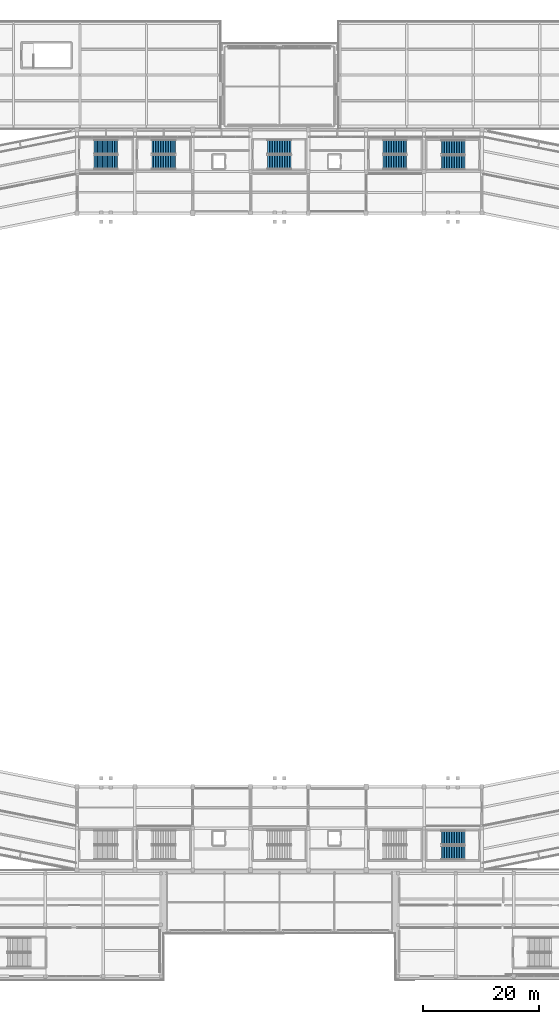
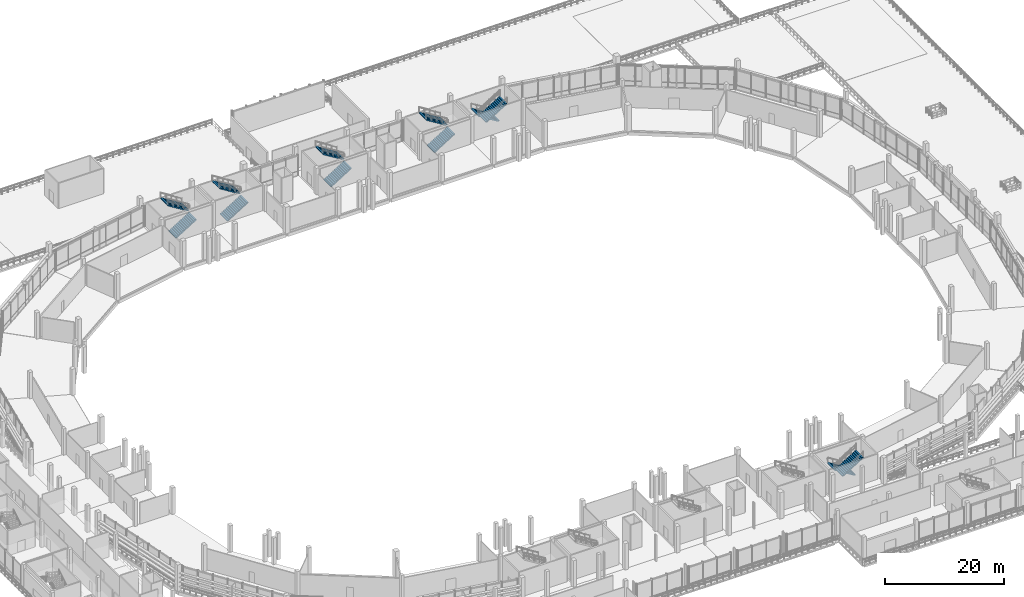
# One storey, part 83 of 111: 12 stair flights, 6 elements without a shape of their own.
"""IFC4 building model written with IfcOpenShell, lengths in metres."""

import ifcopenshell
import ifcopenshell.guid

model = None  # the IFC model being written
_history = None  # IfcOwnerHistory: only IFC2X3 demands one
_inside = {}  # id of a spatial element -> (the spatial element, [elements in it])
_under = {}  # id of a project, library or spatial element -> (it, [spatial elements below it])
_declared = {}  # id of a project -> (the project, [libraries it declares])
_typed = {}  # id of a type object -> (the type object, [elements of that type])
_made_of = {}  # id of a material, layer set ... -> (it, [elements and type objects made of it])


def new_model(schema):
    """Start an empty IFC model of exactly this schema.

    Asked for "IFC4X3", IfcOpenShell would pick the latest addendum, in which some entities
    have other attributes; the version numbers below select the first issue.
    IFC2X3 requires an IfcOwnerHistory on every rooted entity: one is made here for all.
    """
    global model, _history
    if schema == "IFC4X3":
        model = ifcopenshell.file(schema_version=(4, 3, 0, 0))
    else:
        model = ifcopenshell.file(schema=schema)
    _inside.clear()
    _under.clear()
    _declared.clear()
    _typed.clear()
    _made_of.clear()
    _history = None
    if model.schema == "IFC2X3":
        org = make("IfcOrganization", Name="unknown")
        user = make(
            "IfcPersonAndOrganization",
            ThePerson=make("IfcPerson", FamilyName="unknown"),
            TheOrganization=org,
        )
        app = make(
            "IfcApplication",
            ApplicationDeveloper=org,
            Version="unknown",
            ApplicationFullName="unknown",
            ApplicationIdentifier="unknown",
        )
        _history = make(
            "IfcOwnerHistory",
            OwningUser=user,
            OwningApplication=app,
            ChangeAction="ADDED",
            CreationDate=0,
        )
    return model


def make(cls, **values):
    """One entity of the class cls with the attributes given. An attribute that is None is left unset."""
    return model.create_entity(
        cls, **{name: value for name, value in values.items() if value is not None}
    )


def rooted(cls, **values):
    """An entity with a GlobalId (a new one), such as an element, a storey or a relation."""
    return make(cls, GlobalId=ifcopenshell.guid.new(), OwnerHistory=_history, **values)


def si_unit(unit_type, name, prefix=None):
    """IfcSIUnit, for example si_unit("LENGTHUNIT", "METRE", prefix="MILLI")."""
    return make("IfcSIUnit", UnitType=unit_type, Prefix=prefix, Name=name)


def assignment(units):
    """IfcUnitAssignment: the units of a project."""
    return None if units is None else make("IfcUnitAssignment", Units=units)


def point(xyz):
    """IfcCartesianPoint."""
    return None if xyz is None else make("IfcCartesianPoint", Coordinates=xyz)


def direction(xyz):
    """IfcDirection."""
    return None if xyz is None else make("IfcDirection", DirectionRatios=xyz)


def frame(location, z_axis=None, x_axis=None):
    """IfcAxis2Placement3D, a coordinate frame: its origin and axes. An axis left out is left unset."""
    return make(
        "IfcAxis2Placement3D",
        Location=point(location),
        Axis=direction(z_axis),
        RefDirection=direction(x_axis),
    )


def origin():
    """The frame at (0, 0, 0) with its axes left unset."""
    return frame((0.0, 0.0, 0.0))


def place(relative_to, where):
    """IfcLocalPlacement: puts the frame where relative to a parent placement (None: the world)."""
    return make(
        "IfcLocalPlacement", PlacementRelTo=relative_to, RelativePlacement=where
    )


def context(
    kind, dimensions, precision=None, world=None, true_north=None, identifier=None
):
    """IfcGeometricRepresentationContext, for example the 3D "Model" context."""
    return make(
        "IfcGeometricRepresentationContext",
        ContextIdentifier=identifier,
        ContextType=kind,
        CoordinateSpaceDimension=dimensions,
        Precision=precision,
        WorldCoordinateSystem=world,
        TrueNorth=true_north,
    )


def subcontext(parent, identifier, kind, view, scale=None):
    """IfcGeometricRepresentationSubContext, for example "Body" below "Model"."""
    return make(
        "IfcGeometricRepresentationSubContext",
        ContextIdentifier=identifier,
        ContextType=kind,
        ParentContext=parent,
        TargetScale=scale,
        TargetView=view,
    )


def project(units=None, contexts=None):
    """IfcProject with its units and contexts."""
    return rooted(
        "IfcProject",
        Name="project",
        RepresentationContexts=contexts,
        UnitsInContext=assignment(units),
    )


def spatial(cls, under=None, at=None, **own):
    """A site, building, storey or space (cls), placed at a placement, below another one or the project."""
    s = rooted(cls, ObjectPlacement=at, **own)
    if under is not None:
        _under.setdefault(under.id(), (under, []))[1].append(s)
    return s


def polyline(points):
    """IfcPolyline through the points."""
    return make("IfcPolyline", Points=[point(p) for p in points])


def outline(outer, holes=None, kind="AREA"):
    """IfcArbitraryClosedProfileDef: a profile drawn as a closed curve; with holes, ...WithVoids."""
    if holes is None:
        return make("IfcArbitraryClosedProfileDef", ProfileType=kind, OuterCurve=outer)
    return make(
        "IfcArbitraryProfileDefWithVoids",
        ProfileType=kind,
        OuterCurve=outer,
        InnerCurves=holes,
    )


def extrude(swept, where, along, depth):
    """IfcExtrudedAreaSolid: the profile swept, set in the frame where, extruded along a direction by depth."""
    return make(
        "IfcExtrudedAreaSolid",
        SweptArea=swept,
        Position=where,
        ExtrudedDirection=direction(along),
        Depth=depth,
    )


def shape(context_of_items, identifier, shape_type, items):
    """IfcShapeRepresentation: the items that make up one representation, for example the "Body"."""
    return make(
        "IfcShapeRepresentation",
        ContextOfItems=context_of_items,
        RepresentationIdentifier=identifier,
        RepresentationType=shape_type,
        Items=items,
    )


def material(Name=None, Category=None):
    """IfcMaterial."""
    return make("IfcMaterial", Name=Name, Category=Category)


def made_of(thing, what):
    """Note that an element or type object is made of a material, layer set ...; save() writes the relation."""
    if what is not None:
        _made_of.setdefault(what.id(), (what, []))[1].append(thing)
    return thing


def type_object(cls, material=None, **own):
    """A type object (cls), such as IfcWallType, which elements share."""
    return made_of(rooted(cls, **own), material)


def element(
    cls,
    number,
    at=None,
    inside=None,
    cuts=None,
    type_object=None,
    material=None,
    context=None,
    identifier="Body",
    shape_type=None,
    held_by="IfcProductDefinitionShape",
    body=None,
    shapes=None,
    **own,
):
    """One element of the class cls, such as IfcWall. Its Tag is "e" and its number.

    at: its placement. inside: the storey or other place that contains it. cuts: it is an
    opening in that element (IfcRelVoidsElement). A single representation is given by context,
    identifier, shape_type and body (its items); several are given by shapes. held_by: the class
    of the entity that holds the representations. save() writes the other relations.
    """
    e = rooted(cls, Tag="e%d" % number, ObjectPlacement=at, **own)
    if body is not None:
        shapes = [shape(context, identifier, shape_type, body)]
    if shapes is not None:
        e.Representation = make(held_by, Representations=shapes)
    if inside is not None:
        _inside.setdefault(inside.id(), (inside, []))[1].append(e)
    if cuts is not None:
        rooted(
            "IfcRelVoidsElement", RelatingBuildingElement=cuts, RelatedOpeningElement=e
        )
    if type_object is not None:
        _typed.setdefault(type_object.id(), (type_object, []))[1].append(e)
    return made_of(e, material)


def aggregate(whole, parts):
    """IfcRelAggregates: a whole, such as a stair, and the parts it consists of."""
    return rooted("IfcRelAggregates", RelatingObject=whole, RelatedObjects=parts)


def save(model, path):
    """Write the relations noted so far, then the file.

    IfcRelAggregates (storeys below a building ...), IfcRelContainedInSpatialStructure (elements
    in a storey), IfcRelDefinesByType, IfcRelAssociatesMaterial and IfcRelDeclares: one each for
    every whole, place, type object, material and project.
    """
    for whole, parts in _under.values():
        aggregate(whole, parts)
    for where, things in _inside.values():
        rooted(
            "IfcRelContainedInSpatialStructure",
            RelatedElements=things,
            RelatingStructure=where,
        )
    for kind, things in _typed.values():
        rooted("IfcRelDefinesByType", RelatedObjects=things, RelatingType=kind)
    for what, things in _made_of.values():
        rooted("IfcRelAssociatesMaterial", RelatedObjects=things, RelatingMaterial=what)
    for by, libraries in _declared.values():
        rooted("IfcRelDeclares", RelatingContext=by, RelatedDefinitions=libraries)
    model.write(path)


model = new_model("IFC4")

# Units and contexts
model_context = context("Model", 3, precision=1e-05, world=origin(), true_north=direction((0.0, 1.0)))
body_context = subcontext(model_context, "Body", "Model", "MODEL_VIEW")
ifc_project = project(units=[si_unit("LENGTHUNIT", "METRE"), si_unit("AREAUNIT", "SQUARE_METRE"), si_unit("VOLUMEUNIT", "CUBIC_METRE"), si_unit("PLANEANGLEUNIT", "RADIAN"), si_unit("MASSUNIT", "GRAM", prefix="KILO")], contexts=[model_context])

# Site, building, storey
site_placement = place(None, origin())
site = spatial("IfcSite", under=ifc_project, at=site_placement, CompositionType="ELEMENT")
building_placement = place(site_placement, origin())
building = spatial("IfcBuilding", under=site, at=building_placement, Name="Candeia Ridge Stadium", CompositionType="ELEMENT")
storey_placement = place(building_placement, frame((0.0, 0.0, 16.199951171875)))
storey = spatial("IfcBuildingStorey", under=building, at=storey_placement, Name="L03", CompositionType="ELEMENT", Elevation=16.199951171875)

# Stair, stair flights
ifc_material_1 = material(Name="Concrete C40/50", Category="concrete")
stair_type = type_object("IfcStairType", Name="Enclosed Core Half-Turn Stair 2450", PredefinedType="HALF_TURN_STAIR", material=ifc_material_1)
stair_1_placement = place(storey_placement, origin())
stair_1 = element("IfcStair", 1, at=stair_1_placement, inside=storey, type_object=stair_type, Name="L03 Enclosed exit stair ST01", PredefinedType="HALF_TURN_STAIR")
ifc_material_2 = material(Name="Precast concrete C40/50", Category="concrete")
stair_flight_type = type_object("IfcStairFlightType", Name="Core Precast Stair Flight 2450", PredefinedType="STRAIGHT", material=ifc_material_2)
stair_flight_1_placement = place(storey_placement, frame((73.949951171875, 141.425048828125, 0.0), z_axis=(0.0, 0.0, 1.0), x_axis=(1.0, 0.0, 0.0)))
stair_flight_1 = element("IfcStairFlight", 2, at=stair_flight_1_placement, type_object=stair_flight_type, Name="ST01 flight 1", NumberOfRisers=15, NumberOfTreads=14, PredefinedType="STRAIGHT", RiserHeight=0.18, TreadLength=0.29, context=body_context, shape_type="SweptSolid", body=[
    extrude(outline(polyline([(0.0, 0.0), (0.0, 0.179931640625), (0.2900390625, 0.179931640625), (0.2900390625, 0.360107421875), (0.580078125, 0.360107421875), (0.580078125, 0.5400390625), (0.8701171875, 0.5400390625), (0.8701171875, 0.719970703125), (1.159912109375, 0.719970703125), (1.159912109375, 0.89990234375), (1.449951171875, 0.89990234375), (1.449951171875, 1.080078125), (1.739990234375, 1.080078125), (1.739990234375, 1.260009765625), (2.030029296875, 1.260009765625), (2.030029296875, 1.43994140625), (2.320068359375, 1.43994140625), (2.320068359375, 1.6201171875), (2.610107421875, 1.6201171875), (2.610107421875, 1.800048828125), (2.89990234375, 1.800048828125), (2.89990234375, 1.97998046875), (3.18994140625, 1.97998046875), (3.18994140625, 2.159912109375), (3.47998046875, 2.159912109375), (3.47998046875, 2.340087890625), (3.77001953125, 2.340087890625), (3.77001953125, 2.52001953125), (4.06005859375, 2.52001953125), (4.06005859375, 2.699951171875), (4.06005859375, 2.331787109375), (0.30322265625, 0.0), (0.0, 0.0)])), frame((0.0, 1.22509765625, 0.0), z_axis=(0.0, -1.0, 0.0), x_axis=(1.0, 0.0, 0.0)), (0.0, 0.0, 1.0), 2.449951171875),
])
stair_flight_2_placement = place(storey_placement, frame((78.010009765625, 144.02490234375, 2.699951171875), z_axis=(0.0, 0.0, 1.0), x_axis=(-1.0, 0.0, 0.0)))
stair_flight_2 = element("IfcStairFlight", 3, at=stair_flight_2_placement, type_object=stair_flight_type, Name="ST01 flight 2", NumberOfRisers=15, NumberOfTreads=14, PredefinedType="STRAIGHT", RiserHeight=0.18, TreadLength=0.29, context=body_context, shape_type="SweptSolid", body=[
    extrude(outline(polyline([(0.0, 0.0), (0.0, 0.179931640625), (0.2900390625, 0.179931640625), (0.2900390625, 0.360107421875), (0.580078125, 0.360107421875), (0.580078125, 0.5400390625), (0.8701171875, 0.5400390625), (0.8701171875, 0.719970703125), (1.159912109375, 0.719970703125), (1.159912109375, 0.89990234375), (1.449951171875, 0.89990234375), (1.449951171875, 1.080078125), (1.739990234375, 1.080078125), (1.739990234375, 1.260009765625), (2.030029296875, 1.260009765625), (2.030029296875, 1.43994140625), (2.320068359375, 1.43994140625), (2.320068359375, 1.6201171875), (2.610107421875, 1.6201171875), (2.610107421875, 1.800048828125), (2.89990234375, 1.800048828125), (2.89990234375, 1.97998046875), (3.18994140625, 1.97998046875), (3.18994140625, 2.159912109375), (3.47998046875, 2.159912109375), (3.47998046875, 2.340087890625), (3.77001953125, 2.340087890625), (3.77001953125, 2.52001953125), (4.06005859375, 2.52001953125), (4.06005859375, 2.699951171875), (4.06005859375, 2.331787109375), (0.30322265625, 0.0), (0.0, 0.0)])), frame((0.0, 1.22509765625, 0.0), z_axis=(0.0, -1.0, 0.0), x_axis=(1.0, 0.0, 0.0)), (0.0, 0.0, 1.0), 2.449951171875),
])
aggregate(stair_1, [stair_flight_1, stair_flight_2])

stair_2_placement = place(storey_placement, origin())
stair_2 = element("IfcStair", 4, at=stair_2_placement, inside=storey, type_object=stair_type, Name="L03 Enclosed exit stair ST03", PredefinedType="HALF_TURN_STAIR")
stair_flight_3_placement = place(storey_placement, frame((138.050048828125, 24.574951171875, 0.0), z_axis=(0.0, 0.0, 1.0), x_axis=(-1.0, 0.0, 0.0)))
stair_flight_3 = element("IfcStairFlight", 5, at=stair_flight_3_placement, type_object=stair_flight_type, Name="ST03 flight 1", NumberOfRisers=15, NumberOfTreads=14, PredefinedType="STRAIGHT", RiserHeight=0.18, TreadLength=0.29, context=body_context, shape_type="SweptSolid", body=[
    extrude(outline(polyline([(0.0, 0.0), (0.0, 0.179931640625), (0.2900390625, 0.179931640625), (0.2900390625, 0.360107421875), (0.580078125, 0.360107421875), (0.580078125, 0.5400390625), (0.8701171875, 0.5400390625), (0.8701171875, 0.719970703125), (1.159912109375, 0.719970703125), (1.159912109375, 0.89990234375), (1.449951171875, 0.89990234375), (1.449951171875, 1.080078125), (1.739990234375, 1.080078125), (1.739990234375, 1.260009765625), (2.030029296875, 1.260009765625), (2.030029296875, 1.43994140625), (2.320068359375, 1.43994140625), (2.320068359375, 1.6201171875), (2.610107421875, 1.6201171875), (2.610107421875, 1.800048828125), (2.89990234375, 1.800048828125), (2.89990234375, 1.97998046875), (3.18994140625, 1.97998046875), (3.18994140625, 2.159912109375), (3.47998046875, 2.159912109375), (3.47998046875, 2.340087890625), (3.77001953125, 2.340087890625), (3.77001953125, 2.52001953125), (4.06005859375, 2.52001953125), (4.06005859375, 2.699951171875), (4.06005859375, 2.331787109375), (0.30322265625, 0.0), (0.0, 0.0)])), frame((0.0, 1.22509765625, 0.0), z_axis=(0.0, -1.0, 0.0), x_axis=(1.0, 0.0, 0.0)), (0.0, 0.0, 1.0), 2.449951171875),
])
stair_flight_4_placement = place(storey_placement, frame((133.989990234375, 21.97509765625, 2.699951171875), z_axis=(0.0, 0.0, 1.0), x_axis=(1.0, 0.0, 0.0)))
stair_flight_4 = element("IfcStairFlight", 6, at=stair_flight_4_placement, type_object=stair_flight_type, Name="ST03 flight 2", NumberOfRisers=15, NumberOfTreads=14, PredefinedType="STRAIGHT", RiserHeight=0.18, TreadLength=0.29, context=body_context, shape_type="SweptSolid", body=[
    extrude(outline(polyline([(0.0, 0.0), (0.0, 0.179931640625), (0.2900390625, 0.179931640625), (0.2900390625, 0.360107421875), (0.580078125, 0.360107421875), (0.580078125, 0.5400390625), (0.8701171875, 0.5400390625), (0.8701171875, 0.719970703125), (1.159912109375, 0.719970703125), (1.159912109375, 0.89990234375), (1.449951171875, 0.89990234375), (1.449951171875, 1.080078125), (1.739990234375, 1.080078125), (1.739990234375, 1.260009765625), (2.030029296875, 1.260009765625), (2.030029296875, 1.43994140625), (2.320068359375, 1.43994140625), (2.320068359375, 1.6201171875), (2.610107421875, 1.6201171875), (2.610107421875, 1.800048828125), (2.89990234375, 1.800048828125), (2.89990234375, 1.97998046875), (3.18994140625, 1.97998046875), (3.18994140625, 2.159912109375), (3.47998046875, 2.159912109375), (3.47998046875, 2.340087890625), (3.77001953125, 2.340087890625), (3.77001953125, 2.52001953125), (4.06005859375, 2.52001953125), (4.06005859375, 2.699951171875), (4.06005859375, 2.331787109375), (0.30322265625, 0.0), (0.0, 0.0)])), frame((0.0, 1.22509765625, 0.0), z_axis=(0.0, -1.0, 0.0), x_axis=(1.0, 0.0, 0.0)), (0.0, 0.0, 1.0), 2.449951171875),
])
aggregate(stair_2, [stair_flight_3, stair_flight_4])

stair_3_placement = place(storey_placement, origin())
stair_3 = element("IfcStair", 7, at=stair_3_placement, inside=storey, type_object=stair_type, Name="L03 Enclosed exit stair ST04", PredefinedType="HALF_TURN_STAIR")
stair_flight_5_placement = place(storey_placement, frame((138.050048828125, 143.97509765625, 0.0), z_axis=(0.0, 0.0, 1.0), x_axis=(-1.0, 0.0, 0.0)))
stair_flight_5 = element("IfcStairFlight", 8, at=stair_flight_5_placement, type_object=stair_flight_type, Name="ST04 flight 1", NumberOfRisers=15, NumberOfTreads=14, PredefinedType="STRAIGHT", RiserHeight=0.18, TreadLength=0.29, context=body_context, shape_type="SweptSolid", body=[
    extrude(outline(polyline([(0.0, 0.0), (0.0, 0.179931640625), (0.2900390625, 0.179931640625), (0.2900390625, 0.360107421875), (0.580078125, 0.360107421875), (0.580078125, 0.5400390625), (0.8701171875, 0.5400390625), (0.8701171875, 0.719970703125), (1.159912109375, 0.719970703125), (1.159912109375, 0.89990234375), (1.449951171875, 0.89990234375), (1.449951171875, 1.080078125), (1.739990234375, 1.080078125), (1.739990234375, 1.260009765625), (2.030029296875, 1.260009765625), (2.030029296875, 1.43994140625), (2.320068359375, 1.43994140625), (2.320068359375, 1.6201171875), (2.610107421875, 1.6201171875), (2.610107421875, 1.800048828125), (2.89990234375, 1.800048828125), (2.89990234375, 1.97998046875), (3.18994140625, 1.97998046875), (3.18994140625, 2.159912109375), (3.47998046875, 2.159912109375), (3.47998046875, 2.340087890625), (3.77001953125, 2.340087890625), (3.77001953125, 2.52001953125), (4.06005859375, 2.52001953125), (4.06005859375, 2.699951171875), (4.06005859375, 2.331787109375), (0.30322265625, 0.0), (0.0, 0.0)])), frame((0.0, 1.22509765625, 0.0), z_axis=(0.0, -1.0, 0.0), x_axis=(1.0, 0.0, 0.0)), (0.0, 0.0, 1.0), 2.449951171875),
])
stair_flight_6_placement = place(storey_placement, frame((133.989990234375, 141.375, 2.699951171875), z_axis=(0.0, 0.0, 1.0), x_axis=(1.0, 0.0, 0.0)))
stair_flight_6 = element("IfcStairFlight", 9, at=stair_flight_6_placement, type_object=stair_flight_type, Name="ST04 flight 2", NumberOfRisers=15, NumberOfTreads=14, PredefinedType="STRAIGHT", RiserHeight=0.18, TreadLength=0.29, context=body_context, shape_type="SweptSolid", body=[
    extrude(outline(polyline([(0.0, 0.0), (0.0, 0.179931640625), (0.2900390625, 0.179931640625), (0.2900390625, 0.360107421875), (0.580078125, 0.360107421875), (0.580078125, 0.5400390625), (0.8701171875, 0.5400390625), (0.8701171875, 0.719970703125), (1.159912109375, 0.719970703125), (1.159912109375, 0.89990234375), (1.449951171875, 0.89990234375), (1.449951171875, 1.080078125), (1.739990234375, 1.080078125), (1.739990234375, 1.260009765625), (2.030029296875, 1.260009765625), (2.030029296875, 1.43994140625), (2.320068359375, 1.43994140625), (2.320068359375, 1.6201171875), (2.610107421875, 1.6201171875), (2.610107421875, 1.800048828125), (2.89990234375, 1.800048828125), (2.89990234375, 1.97998046875), (3.18994140625, 1.97998046875), (3.18994140625, 2.159912109375), (3.47998046875, 2.159912109375), (3.47998046875, 2.340087890625), (3.77001953125, 2.340087890625), (3.77001953125, 2.52001953125), (4.06005859375, 2.52001953125), (4.06005859375, 2.699951171875), (4.06005859375, 2.331787109375), (0.30322265625, 0.0), (0.0, 0.0)])), frame((0.0, 1.22509765625, 0.0), z_axis=(0.0, -1.0, 0.0), x_axis=(1.0, 0.0, 0.0)), (0.0, 0.0, 1.0), 2.449951171875),
])
aggregate(stair_3, [stair_flight_5, stair_flight_6])

stair_4_placement = place(storey_placement, origin())
stair_4 = element("IfcStair", 10, at=stair_4_placement, inside=storey, type_object=stair_type, Name="L03 Enclosed exit stair ST09", PredefinedType="HALF_TURN_STAIR")
stair_flight_7_placement = place(storey_placement, frame((83.949951171875, 141.425048828125, 0.0), z_axis=(0.0, 0.0, 1.0), x_axis=(1.0, 0.0, 0.0)))
stair_flight_7 = element("IfcStairFlight", 11, at=stair_flight_7_placement, type_object=stair_flight_type, Name="ST09 flight 1", NumberOfRisers=15, NumberOfTreads=14, PredefinedType="STRAIGHT", RiserHeight=0.18, TreadLength=0.29, context=body_context, shape_type="SweptSolid", body=[
    extrude(outline(polyline([(0.0, 0.0), (0.0, 0.179931640625), (0.2900390625, 0.179931640625), (0.2900390625, 0.360107421875), (0.580078125, 0.360107421875), (0.580078125, 0.5400390625), (0.8701171875, 0.5400390625), (0.8701171875, 0.719970703125), (1.159912109375, 0.719970703125), (1.159912109375, 0.89990234375), (1.449951171875, 0.89990234375), (1.449951171875, 1.080078125), (1.739990234375, 1.080078125), (1.739990234375, 1.260009765625), (2.030029296875, 1.260009765625), (2.030029296875, 1.43994140625), (2.320068359375, 1.43994140625), (2.320068359375, 1.6201171875), (2.610107421875, 1.6201171875), (2.610107421875, 1.800048828125), (2.89990234375, 1.800048828125), (2.89990234375, 1.97998046875), (3.18994140625, 1.97998046875), (3.18994140625, 2.159912109375), (3.47998046875, 2.159912109375), (3.47998046875, 2.340087890625), (3.77001953125, 2.340087890625), (3.77001953125, 2.52001953125), (4.06005859375, 2.52001953125), (4.06005859375, 2.699951171875), (4.06005859375, 2.331787109375), (0.30322265625, 0.0), (0.0, 0.0)])), frame((0.0, 1.22509765625, 0.0), z_axis=(0.0, -1.0, 0.0), x_axis=(1.0, 0.0, 0.0)), (0.0, 0.0, 1.0), 2.449951171875),
])
stair_flight_8_placement = place(storey_placement, frame((88.010009765625, 144.02490234375, 2.699951171875), z_axis=(0.0, 0.0, 1.0), x_axis=(-1.0, 0.0, 0.0)))
stair_flight_8 = element("IfcStairFlight", 12, at=stair_flight_8_placement, type_object=stair_flight_type, Name="ST09 flight 2", NumberOfRisers=15, NumberOfTreads=14, PredefinedType="STRAIGHT", RiserHeight=0.18, TreadLength=0.29, context=body_context, shape_type="SweptSolid", body=[
    extrude(outline(polyline([(0.0, 0.0), (0.0, 0.179931640625), (0.2900390625, 0.179931640625), (0.2900390625, 0.360107421875), (0.580078125, 0.360107421875), (0.580078125, 0.5400390625), (0.8701171875, 0.5400390625), (0.8701171875, 0.719970703125), (1.159912109375, 0.719970703125), (1.159912109375, 0.89990234375), (1.449951171875, 0.89990234375), (1.449951171875, 1.080078125), (1.739990234375, 1.080078125), (1.739990234375, 1.260009765625), (2.030029296875, 1.260009765625), (2.030029296875, 1.43994140625), (2.320068359375, 1.43994140625), (2.320068359375, 1.6201171875), (2.610107421875, 1.6201171875), (2.610107421875, 1.800048828125), (2.89990234375, 1.800048828125), (2.89990234375, 1.97998046875), (3.18994140625, 1.97998046875), (3.18994140625, 2.159912109375), (3.47998046875, 2.159912109375), (3.47998046875, 2.340087890625), (3.77001953125, 2.340087890625), (3.77001953125, 2.52001953125), (4.06005859375, 2.52001953125), (4.06005859375, 2.699951171875), (4.06005859375, 2.331787109375), (0.30322265625, 0.0), (0.0, 0.0)])), frame((0.0, 1.22509765625, 0.0), z_axis=(0.0, -1.0, 0.0), x_axis=(1.0, 0.0, 0.0)), (0.0, 0.0, 1.0), 2.449951171875),
])
aggregate(stair_4, [stair_flight_7, stair_flight_8])

stair_5_placement = place(storey_placement, origin())
stair_5 = element("IfcStair", 13, at=stair_5_placement, inside=storey, type_object=stair_type, Name="L03 Enclosed exit stair ST10", PredefinedType="HALF_TURN_STAIR")
stair_flight_9_placement = place(storey_placement, frame((123.949951171875, 141.425048828125, 0.0), z_axis=(0.0, 0.0, 1.0), x_axis=(1.0, 0.0, 0.0)))
stair_flight_9 = element("IfcStairFlight", 14, at=stair_flight_9_placement, type_object=stair_flight_type, Name="ST10 flight 1", NumberOfRisers=15, NumberOfTreads=14, PredefinedType="STRAIGHT", RiserHeight=0.18, TreadLength=0.29, context=body_context, shape_type="SweptSolid", body=[
    extrude(outline(polyline([(0.0, 0.0), (0.0, 0.179931640625), (0.2900390625, 0.179931640625), (0.2900390625, 0.360107421875), (0.580078125, 0.360107421875), (0.580078125, 0.5400390625), (0.8701171875, 0.5400390625), (0.8701171875, 0.719970703125), (1.159912109375, 0.719970703125), (1.159912109375, 0.89990234375), (1.449951171875, 0.89990234375), (1.449951171875, 1.080078125), (1.739990234375, 1.080078125), (1.739990234375, 1.260009765625), (2.030029296875, 1.260009765625), (2.030029296875, 1.43994140625), (2.320068359375, 1.43994140625), (2.320068359375, 1.6201171875), (2.610107421875, 1.6201171875), (2.610107421875, 1.800048828125), (2.89990234375, 1.800048828125), (2.89990234375, 1.97998046875), (3.18994140625, 1.97998046875), (3.18994140625, 2.159912109375), (3.47998046875, 2.159912109375), (3.47998046875, 2.340087890625), (3.77001953125, 2.340087890625), (3.77001953125, 2.52001953125), (4.06005859375, 2.52001953125), (4.06005859375, 2.699951171875), (4.06005859375, 2.331787109375), (0.30322265625, 0.0), (0.0, 0.0)])), frame((0.0, 1.22509765625, 0.0), z_axis=(0.0, -1.0, 0.0), x_axis=(1.0, 0.0, 0.0)), (0.0, 0.0, 1.0), 2.449951171875),
])
stair_flight_10_placement = place(storey_placement, frame((128.010009765625, 144.02490234375, 2.699951171875), z_axis=(0.0, 0.0, 1.0), x_axis=(-1.0, 0.0, 0.0)))
stair_flight_10 = element("IfcStairFlight", 15, at=stair_flight_10_placement, type_object=stair_flight_type, Name="ST10 flight 2", NumberOfRisers=15, NumberOfTreads=14, PredefinedType="STRAIGHT", RiserHeight=0.18, TreadLength=0.29, context=body_context, shape_type="SweptSolid", body=[
    extrude(outline(polyline([(0.0, 0.0), (0.0, 0.179931640625), (0.2900390625, 0.179931640625), (0.2900390625, 0.360107421875), (0.580078125, 0.360107421875), (0.580078125, 0.5400390625), (0.8701171875, 0.5400390625), (0.8701171875, 0.719970703125), (1.159912109375, 0.719970703125), (1.159912109375, 0.89990234375), (1.449951171875, 0.89990234375), (1.449951171875, 1.080078125), (1.739990234375, 1.080078125), (1.739990234375, 1.260009765625), (2.030029296875, 1.260009765625), (2.030029296875, 1.43994140625), (2.320068359375, 1.43994140625), (2.320068359375, 1.6201171875), (2.610107421875, 1.6201171875), (2.610107421875, 1.800048828125), (2.89990234375, 1.800048828125), (2.89990234375, 1.97998046875), (3.18994140625, 1.97998046875), (3.18994140625, 2.159912109375), (3.47998046875, 2.159912109375), (3.47998046875, 2.340087890625), (3.77001953125, 2.340087890625), (3.77001953125, 2.52001953125), (4.06005859375, 2.52001953125), (4.06005859375, 2.699951171875), (4.06005859375, 2.331787109375), (0.30322265625, 0.0), (0.0, 0.0)])), frame((0.0, 1.22509765625, 0.0), z_axis=(0.0, -1.0, 0.0), x_axis=(1.0, 0.0, 0.0)), (0.0, 0.0, 1.0), 2.449951171875),
])
aggregate(stair_5, [stair_flight_9, stair_flight_10])

stair_6_placement = place(storey_placement, origin())
stair_6 = element("IfcStair", 16, at=stair_6_placement, inside=storey, type_object=stair_type, Name="L03 Enclosed exit stair ST17", PredefinedType="HALF_TURN_STAIR")
stair_flight_11_placement = place(storey_placement, frame((103.949951171875, 141.425048828125, 0.0), z_axis=(0.0, 0.0, 1.0), x_axis=(1.0, 0.0, 0.0)))
stair_flight_11 = element("IfcStairFlight", 17, at=stair_flight_11_placement, type_object=stair_flight_type, Name="ST17 flight 1", NumberOfRisers=15, NumberOfTreads=14, PredefinedType="STRAIGHT", RiserHeight=0.18, TreadLength=0.29, context=body_context, shape_type="SweptSolid", body=[
    extrude(outline(polyline([(0.0, 0.0), (0.0, 0.179931640625), (0.2900390625, 0.179931640625), (0.2900390625, 0.360107421875), (0.580078125, 0.360107421875), (0.580078125, 0.5400390625), (0.8701171875, 0.5400390625), (0.8701171875, 0.719970703125), (1.159912109375, 0.719970703125), (1.159912109375, 0.89990234375), (1.449951171875, 0.89990234375), (1.449951171875, 1.080078125), (1.739990234375, 1.080078125), (1.739990234375, 1.260009765625), (2.030029296875, 1.260009765625), (2.030029296875, 1.43994140625), (2.320068359375, 1.43994140625), (2.320068359375, 1.6201171875), (2.610107421875, 1.6201171875), (2.610107421875, 1.800048828125), (2.89990234375, 1.800048828125), (2.89990234375, 1.97998046875), (3.18994140625, 1.97998046875), (3.18994140625, 2.159912109375), (3.47998046875, 2.159912109375), (3.47998046875, 2.340087890625), (3.77001953125, 2.340087890625), (3.77001953125, 2.52001953125), (4.06005859375, 2.52001953125), (4.06005859375, 2.699951171875), (4.06005859375, 2.331787109375), (0.30322265625, 0.0), (0.0, 0.0)])), frame((0.0, 1.22509765625, 0.0), z_axis=(0.0, -1.0, 0.0), x_axis=(1.0, 0.0, 0.0)), (0.0, 0.0, 1.0), 2.449951171875),
])
stair_flight_12_placement = place(storey_placement, frame((108.010009765625, 144.02490234375, 2.699951171875), z_axis=(0.0, 0.0, 1.0), x_axis=(-1.0, 0.0, 0.0)))
stair_flight_12 = element("IfcStairFlight", 18, at=stair_flight_12_placement, type_object=stair_flight_type, Name="ST17 flight 2", NumberOfRisers=15, NumberOfTreads=14, PredefinedType="STRAIGHT", RiserHeight=0.18, TreadLength=0.29, context=body_context, shape_type="SweptSolid", body=[
    extrude(outline(polyline([(0.0, 0.0), (0.0, 0.179931640625), (0.2900390625, 0.179931640625), (0.2900390625, 0.360107421875), (0.580078125, 0.360107421875), (0.580078125, 0.5400390625), (0.8701171875, 0.5400390625), (0.8701171875, 0.719970703125), (1.159912109375, 0.719970703125), (1.159912109375, 0.89990234375), (1.449951171875, 0.89990234375), (1.449951171875, 1.080078125), (1.739990234375, 1.080078125), (1.739990234375, 1.260009765625), (2.030029296875, 1.260009765625), (2.030029296875, 1.43994140625), (2.320068359375, 1.43994140625), (2.320068359375, 1.6201171875), (2.610107421875, 1.6201171875), (2.610107421875, 1.800048828125), (2.89990234375, 1.800048828125), (2.89990234375, 1.97998046875), (3.18994140625, 1.97998046875), (3.18994140625, 2.159912109375), (3.47998046875, 2.159912109375), (3.47998046875, 2.340087890625), (3.77001953125, 2.340087890625), (3.77001953125, 2.52001953125), (4.06005859375, 2.52001953125), (4.06005859375, 2.699951171875), (4.06005859375, 2.331787109375), (0.30322265625, 0.0), (0.0, 0.0)])), frame((0.0, 1.22509765625, 0.0), z_axis=(0.0, -1.0, 0.0), x_axis=(1.0, 0.0, 0.0)), (0.0, 0.0, 1.0), 2.449951171875),
])
aggregate(stair_6, [stair_flight_11, stair_flight_12])

save(model, "model.ifc")
